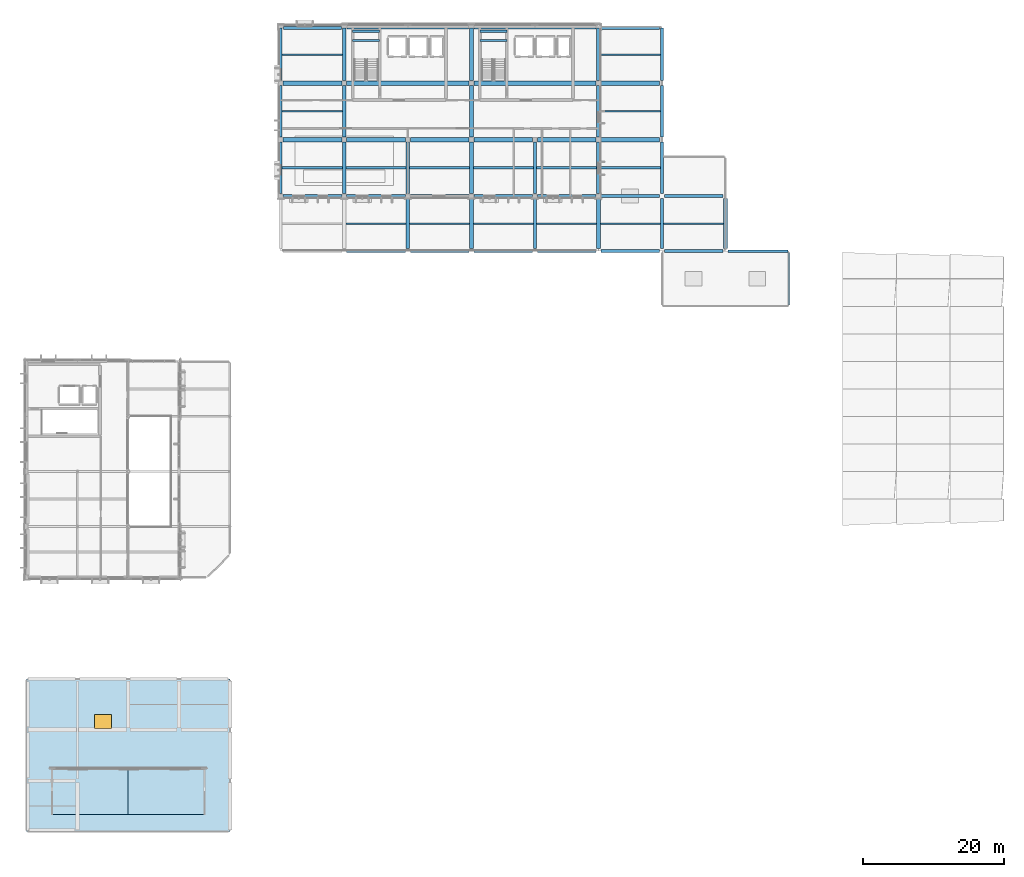
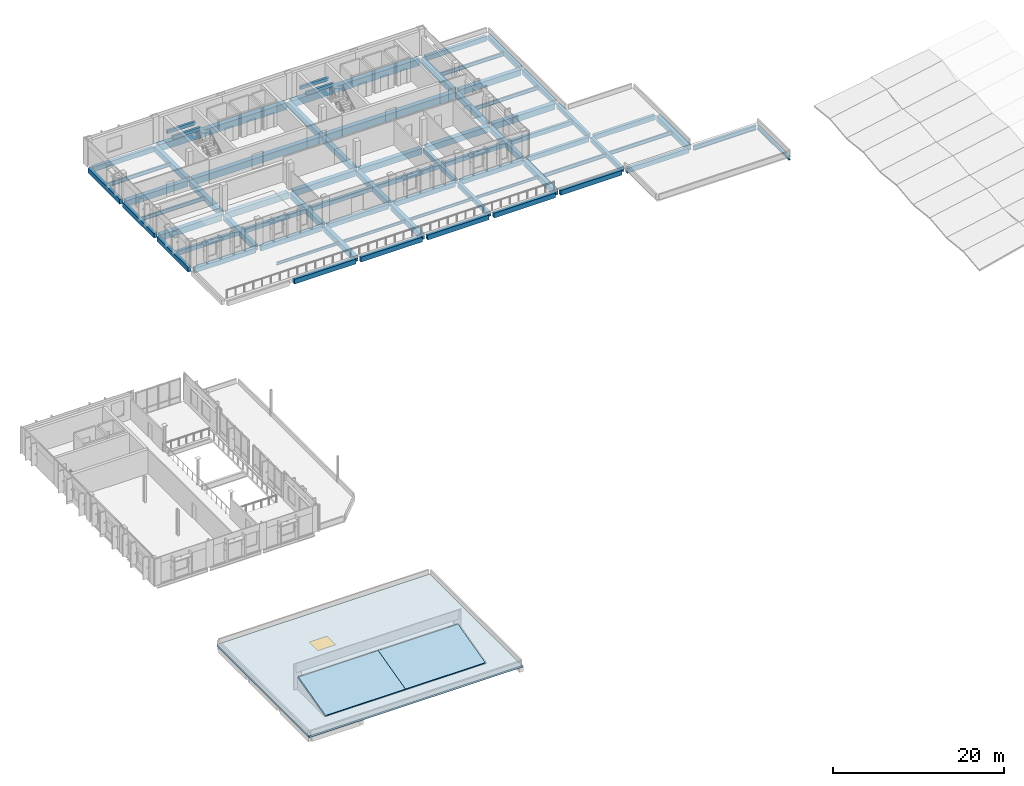
# One storey, part 6 of 23: 72 beams, 3 slabs, 1 window, 1 opening.
"""IFC4 building model written with IfcOpenShell, lengths in metres."""

from ifc_helpers import new_model, si_unit, direction, frame, origin, origin_2d, place, context, subcontext, project, spatial, polyline, rectangle, i_section, outline, extrude, material, layer, layer_set, material_profile, profile_set, type_object, element, fill, save


model = new_model("IFC4")

# Units and contexts
model_context = context("Model", 3, precision=1e-05, world=origin(), true_north=direction((0.0, 1.0)))
body_context = subcontext(model_context, "Body", "Model", "MODEL_VIEW")
ifc_project = project(units=[si_unit("LENGTHUNIT", "METRE"), si_unit("AREAUNIT", "SQUARE_METRE"), si_unit("VOLUMEUNIT", "CUBIC_METRE"), si_unit("PLANEANGLEUNIT", "RADIAN"), si_unit("MASSUNIT", "GRAM", prefix="KILO")], contexts=[model_context])

# Site, building, storey
site_placement = place(None, origin())
site = spatial("IfcSite", under=ifc_project, at=site_placement, CompositionType="ELEMENT")
building_placement = place(site_placement, origin())
building = spatial("IfcBuilding", under=site, at=building_placement, Name="Vervanel Yard Central Library", CompositionType="ELEMENT")
storey_placement = place(building_placement, frame((0.0, 0.0, 16.52001953125)))
storey = spatial("IfcBuildingStorey", under=building, at=storey_placement, Name="L04", CompositionType="ELEMENT", Elevation=16.52001953125)

# Beams
ifc_material_1 = material(Name="Concrete C45/55", Category="concrete")
ifc_material_profile_1 = material_profile(ifc_material_1, rectangle(XDim=0.64990234375, YDim=0.949951171875, at=origin_2d()), Name="RC 650x950", Category="concrete")
ifc_profile_set_1 = profile_set([ifc_material_profile_1], Name="Concrete C45/55")
beam_type_1 = type_object("IfcBeamType", Name="Concrete Heavy Stack Girder 650x950", PredefinedType="BEAM", material=ifc_profile_set_1)
for number, where, z_axis, x_axis, name in (
    (1, (45.35009765625, 106.0, -0.830078125), (1.0, 0.0, 0.0), (0.0, 1.0, 0.0), "L04 Girder CB-04 Y=106.0 X=45.0-63.0"),
    (2, (63.35009765625, 106.0, -0.830078125), (1.0, 0.0, 0.0), (0.0, 1.0, 0.0), "L04 Girder CB-04 Y=106.0 X=63.0-81.0"),
):
    element("IfcBeam", number, at=place(storey_placement, frame(where, z_axis=z_axis, x_axis=x_axis)), inside=storey, type_object=beam_type_1, Name=name, PredefinedType="BEAM", context=body_context, shape_type="SweptSolid", body=[
        extrude(rectangle(XDim=0.64990234375, YDim=0.949951171875, at=origin_2d()), origin(), (0.0, 0.0, 1.0), 17.2998046875),
    ])
for number, where, z_axis, x_axis, name in (
    (3, (45.375, 114.0, -0.830078125), (1.0, 0.0, 0.0), (0.0, 1.0, 0.0), "L04 Girder CB-04 Y=114.0 X=45.0-63.0"),
    (4, (63.375, 114.0, -0.830078125), (1.0, 0.0, 0.0), (0.0, 1.0, 0.0), "L04 Girder CB-04 Y=114.0 X=63.0-81.0"),
):
    element("IfcBeam", number, at=place(storey_placement, frame(where, z_axis=z_axis, x_axis=x_axis)), inside=storey, type_object=beam_type_1, Name=name, PredefinedType="BEAM", context=body_context, shape_type="SweptSolid", body=[
        extrude(rectangle(XDim=0.64990234375, YDim=0.949951171875, at=origin_2d()), origin(), (0.0, 0.0, 1.0), 17.25),
    ])
ifc_material_2 = material(Name="Concrete C40/50", Category="concrete")
ifc_material_profile_2 = material_profile(ifc_material_2, rectangle(XDim=0.300048828125, YDim=0.449951171875, at=origin_2d()), Name="RC 300x450", Category="concrete")
ifc_profile_set_2 = profile_set([ifc_material_profile_2], Name="Concrete C40/50")
beam_type_2 = type_object("IfcBeamType", Name="Concrete Opening Lintel 300x450", PredefinedType="LINTEL", material=ifc_profile_set_2)
for number, where, z_axis, x_axis, name in (
    (5, (46.199951171875, 112.050048828125, 1.445068359375), (1.0, 0.0, 0.0), (0.0, 1.0, 0.0), "L04 CORE-A Stair Landing Beam 9"),
    (6, (46.199951171875, 113.35009765625, 1.445068359375), (1.0, 0.0, 0.0), (0.0, 1.0, 0.0), "L04 CORE-A Stair Landing Beam 10"),
    (7, (64.199951171875, 112.050048828125, 1.445068359375), (1.0, 0.0, 0.0), (0.0, 1.0, 0.0), "L04 CORE-B Stair Landing Beam 19"),
    (8, (64.199951171875, 113.35009765625, 1.445068359375), (1.0, 0.0, 0.0), (0.0, 1.0, 0.0), "L04 CORE-B Stair Landing Beam 20"),
):
    element("IfcBeam", number, at=place(storey_placement, frame(where, z_axis=z_axis, x_axis=x_axis)), inside=storey, type_object=beam_type_2, Name=name, PredefinedType="LINTEL", context=body_context, shape_type="SweptSolid", body=[
        extrude(rectangle(XDim=0.300048828125, YDim=0.449951171875, at=origin_2d()), origin(), (0.0, 0.0, 1.0), 3.824951171875),
    ])
ifc_material_profile_3 = material_profile(ifc_material_2, rectangle(XDim=0.419921875, YDim=0.679931640625, at=origin_2d()), Name="RC 420x680", Category="concrete")
ifc_profile_set_3 = profile_set([ifc_material_profile_3], Name="Concrete C40/50")
beam_type_3 = type_object("IfcBeamType", Name="Concrete Perimeter Spandrel 420x680", PredefinedType="SPANDREL", material=ifc_profile_set_3)
for number, where, z_axis, x_axis, name in (
    (9, (45.35009765625, 82.199951171875, -0.68505859375), (1.0, 0.0, 0.0), (0.0, 1.0, 0.0), "L04 Girder SP-04 Y=82.2 X=45.0-54.0"),
    (10, (54.35009765625, 82.199951171875, -0.68505859375), (1.0, 0.0, 0.0), (0.0, 1.0, 0.0), "L04 Girder SP-04 Y=82.2 X=54.0-63.0"),
    (11, (63.35009765625, 82.199951171875, -0.68505859375), (1.0, 0.0, 0.0), (0.0, 1.0, 0.0), "L04 Girder SP-04 Y=82.2 X=63.0-72.0"),
    (12, (72.35009765625, 82.199951171875, -0.68505859375), (1.0, 0.0, 0.0), (0.0, 1.0, 0.0), "L04 Girder SP-04 Y=82.2 X=72.0-81.0"),
    (13, (81.35009765625, 82.199951171875, -0.594970703125), (1.0, 0.0, 0.0), (0.0, 1.0, 0.0), "L04 Girder SP-04 Y=82.2 X=81.0-90.0"),
    (14, (90.35009765625, 82.199951171875, -0.60498046875), (1.0, 0.0, 0.0), (0.0, 1.0, 0.0), "L04 Girder SP-04 Y=82.2 X=90.0-99.0"),
    (15, (36.35009765625, 90.0, -0.695068359375), (1.0, 0.0, 0.0), (0.0, 1.0, 0.0), "L04 Girder SP-04 Y=90.0 X=36.0-45.0"),
    (16, (45.35009765625, 90.0, -0.695068359375), (1.0, 0.0, 0.0), (0.0, 1.0, 0.0), "L04 Girder SP-04 Y=90.0 X=45.0-54.0"),
    (17, (54.35009765625, 90.0, -0.695068359375), (1.0, 0.0, 0.0), (0.0, 1.0, 0.0), "L04 Girder SP-04 Y=90.0 X=54.0-63.0"),
    (18, (63.35009765625, 90.0, -0.695068359375), (1.0, 0.0, 0.0), (0.0, 1.0, 0.0), "L04 Girder SP-04 Y=90.0 X=63.0-72.0"),
    (19, (72.35009765625, 90.0, -0.695068359375), (1.0, 0.0, 0.0), (0.0, 1.0, 0.0), "L04 Girder SP-04 Y=90.0 X=72.0-81.0"),
    (20, (81.35009765625, 90.0, -0.594970703125), (1.0, 0.0, 0.0), (0.0, 1.0, 0.0), "L04 Girder SP-04 Y=90.0 X=81.0-90.0"),
    (21, (90.35009765625, 90.0, -0.594970703125), (1.0, 0.0, 0.0), (0.0, 1.0, 0.0), "L04 Girder SP-04 Y=90.0 X=90.0-99.0"),
):
    element("IfcBeam", number, at=place(storey_placement, frame(where, z_axis=z_axis, x_axis=x_axis)), inside=storey, type_object=beam_type_3, Name=name, PredefinedType="SPANDREL", context=body_context, shape_type="SweptSolid", body=[
        extrude(rectangle(XDim=0.419921875, YDim=0.679931640625, at=origin_2d()), origin(), (0.0, 0.0, 1.0), 8.2998046875),
    ])
for number, where, z_axis, x_axis, name in (
    (22, (36.375, 113.800048828125, -0.695068359375), (1.0, 0.0, 0.0), (0.0, 1.0, 0.0), "L04 Girder SP-04 Y=114.0 X=36.0-45.0"),
    (23, (81.375, 113.800048828125, -0.594970703125), (1.0, 0.0, 0.0), (0.0, 1.0, 0.0), "L04 Girder SP-04 Y=114.0 X=81.0-90.0"),
):
    element("IfcBeam", number, at=place(storey_placement, frame(where, z_axis=z_axis, x_axis=x_axis)), inside=storey, type_object=beam_type_3, Name=name, PredefinedType="SPANDREL", context=body_context, shape_type="SweptSolid", body=[
        extrude(rectangle(XDim=0.419921875, YDim=0.679931640625, at=origin_2d()), origin(), (0.0, 0.0, 1.0), 8.25),
    ])
for number, where, z_axis, x_axis, name in (
    (24, (36.0, 90.35009765625, -0.695068359375), (0.0, 1.0, 0.0), (-1.0, 0.0, 0.0), "L04 Girder SP-04 X=36.0 Y=90.0-98.0"),
    (25, (36.0, 98.35009765625, -0.695068359375), (0.0, 1.0, 0.0), (-1.0, 0.0, 0.0), "L04 Girder SP-04 X=36.0 Y=98.0-106.0"),
):
    element("IfcBeam", number, at=place(storey_placement, frame(where, z_axis=z_axis, x_axis=x_axis)), inside=storey, type_object=beam_type_3, Name=name, PredefinedType="SPANDREL", context=body_context, shape_type="SweptSolid", body=[
        extrude(rectangle(XDim=0.419921875, YDim=0.679931640625, at=origin_2d()), origin(), (0.0, 0.0, 1.0), 7.2998046875),
    ])
beam_1_placement = place(storey_placement, frame((36.0, 106.35009765625, -0.695068359375), z_axis=(0.0, 1.0, 0.0), x_axis=(-1.0, 0.0, 0.0)))
element("IfcBeam", 26, at=beam_1_placement, inside=storey, type_object=beam_type_3, Name="L04 Girder SP-04 X=36.0 Y=106.0-114.0", PredefinedType="SPANDREL", context=body_context, shape_type="SweptSolid", body=[
    extrude(rectangle(XDim=0.419921875, YDim=0.679931640625, at=origin_2d()), origin(), (0.0, 0.0, 1.0), 7.449951171875),
])
beam_2_placement = place(storey_placement, frame((72.0, 82.550048828125, -0.68505859375), z_axis=(0.0, 1.0, 0.0), x_axis=(-1.0, 0.0, 0.0)))
element("IfcBeam", 27, at=beam_2_placement, inside=storey, type_object=beam_type_3, Name="L04 Girder SP-04 X=72.0 Y=82.2-90.0", PredefinedType="SPANDREL", context=body_context, shape_type="SweptSolid", body=[
    extrude(rectangle(XDim=0.419921875, YDim=0.679931640625, at=origin_2d()), origin(), (0.0, 0.0, 1.0), 7.099853515625),
])
beam_3_placement = place(storey_placement, frame((72.0, 90.35009765625, -0.695068359375), z_axis=(0.0, 1.0, 0.0), x_axis=(-1.0, 0.0, 0.0)))
element("IfcBeam", 28, at=beam_3_placement, inside=storey, type_object=beam_type_3, Name="L04 Girder SP-04 X=72.0 Y=90.0-98.0", PredefinedType="SPANDREL", context=body_context, shape_type="SweptSolid", body=[
    extrude(rectangle(XDim=0.419921875, YDim=0.679931640625, at=origin_2d()), origin(), (0.0, 0.0, 1.0), 7.2998046875),
])
beam_4_placement = place(storey_placement, frame((90.0, 82.550048828125, -0.594970703125), z_axis=(0.0, 1.0, 0.0), x_axis=(-1.0, 0.0, 0.0)))
element("IfcBeam", 29, at=beam_4_placement, inside=storey, type_object=beam_type_3, Name="L04 Girder SP-04 X=90.0 Y=82.2-90.0", PredefinedType="SPANDREL", context=body_context, shape_type="SweptSolid", body=[
    extrude(rectangle(XDim=0.419921875, YDim=0.679931640625, at=origin_2d()), origin(), (0.0, 0.0, 1.0), 7.099853515625),
])
for number, where, z_axis, x_axis, name in (
    (30, (90.0, 90.35009765625, -0.594970703125), (0.0, 1.0, 0.0), (-1.0, 0.0, 0.0), "L04 Girder SP-04 X=90.0 Y=90.0-98.0"),
    (31, (90.0, 98.35009765625, -0.594970703125), (0.0, 1.0, 0.0), (-1.0, 0.0, 0.0), "L04 Girder SP-04 X=90.0 Y=98.0-106.0"),
):
    element("IfcBeam", number, at=place(storey_placement, frame(where, z_axis=z_axis, x_axis=x_axis)), inside=storey, type_object=beam_type_3, Name=name, PredefinedType="SPANDREL", context=body_context, shape_type="SweptSolid", body=[
        extrude(rectangle(XDim=0.419921875, YDim=0.679931640625, at=origin_2d()), origin(), (0.0, 0.0, 1.0), 7.2998046875),
    ])
beam_5_placement = place(storey_placement, frame((90.0, 106.35009765625, -0.594970703125), z_axis=(0.0, 1.0, 0.0), x_axis=(-1.0, 0.0, 0.0)))
element("IfcBeam", 32, at=beam_5_placement, inside=storey, type_object=beam_type_3, Name="L04 Girder SP-04 X=90.0 Y=106.0-114.0", PredefinedType="SPANDREL", context=body_context, shape_type="SweptSolid", body=[
    extrude(rectangle(XDim=0.419921875, YDim=0.679931640625, at=origin_2d()), origin(), (0.0, 0.0, 1.0), 7.449951171875),
])
ifc_material_profile_4 = material_profile(ifc_material_2, rectangle(XDim=0.550048828125, YDim=0.800048828125, at=origin_2d()), Name="RC 550x800", Category="concrete")
ifc_profile_set_4 = profile_set([ifc_material_profile_4], Name="Concrete C40/50")
beam_type_4 = type_object("IfcBeamType", Name="Concrete Primary Girder 550x800", PredefinedType="BEAM", material=ifc_profile_set_4)
for number, where, z_axis, x_axis, name in (
    (33, (45.0, 90.35009765625, -0.755126953125), (0.0, 1.0, 0.0), (-1.0, 0.0, 0.0), "L04 Girder CB-02 X=45.0 Y=90.0-98.0"),
    (34, (45.0, 98.35009765625, -0.755126953125), (0.0, 1.0, 0.0), (-1.0, 0.0, 0.0), "L04 Girder CB-02 X=45.0 Y=98.0-106.0"),
):
    element("IfcBeam", number, at=place(storey_placement, frame(where, z_axis=z_axis, x_axis=x_axis)), inside=storey, type_object=beam_type_4, Name=name, PredefinedType="BEAM", context=body_context, shape_type="SweptSolid", body=[
        extrude(rectangle(XDim=0.550048828125, YDim=0.800048828125, at=origin_2d()), origin(), (0.0, 0.0, 1.0), 7.2998046875),
    ])
beam_6_placement = place(storey_placement, frame((45.0, 106.35009765625, -0.755126953125), z_axis=(0.0, 1.0, 0.0), x_axis=(-1.0, 0.0, 0.0)))
element("IfcBeam", 35, at=beam_6_placement, inside=storey, type_object=beam_type_4, Name="L04 Girder CB-02 X=45.0 Y=106.0-114.0", PredefinedType="BEAM", context=body_context, shape_type="SweptSolid", body=[
    extrude(rectangle(XDim=0.550048828125, YDim=0.800048828125, at=origin_2d()), origin(), (0.0, 0.0, 1.0), 7.449951171875),
])
beam_7_placement = place(storey_placement, frame((54.0, 82.550048828125, -0.7451171875), z_axis=(0.0, 1.0, 0.0), x_axis=(-1.0, 0.0, 0.0)))
element("IfcBeam", 36, at=beam_7_placement, inside=storey, type_object=beam_type_4, Name="L04 Girder CB-02 X=54.0 Y=82.2-90.0", PredefinedType="BEAM", context=body_context, shape_type="SweptSolid", body=[
    extrude(rectangle(XDim=0.550048828125, YDim=0.800048828125, at=origin_2d()), origin(), (0.0, 0.0, 1.0), 7.099853515625),
])
beam_8_placement = place(storey_placement, frame((54.0, 90.35009765625, -0.755126953125), z_axis=(0.0, 1.0, 0.0), x_axis=(-1.0, 0.0, 0.0)))
element("IfcBeam", 37, at=beam_8_placement, inside=storey, type_object=beam_type_4, Name="L04 Girder CB-02 X=54.0 Y=90.0-98.0", PredefinedType="BEAM", context=body_context, shape_type="SweptSolid", body=[
    extrude(rectangle(XDim=0.550048828125, YDim=0.800048828125, at=origin_2d()), origin(), (0.0, 0.0, 1.0), 7.2998046875),
])
beam_9_placement = place(storey_placement, frame((63.0, 82.550048828125, -0.7451171875), z_axis=(0.0, 1.0, 0.0), x_axis=(-1.0, 0.0, 0.0)))
element("IfcBeam", 38, at=beam_9_placement, inside=storey, type_object=beam_type_4, Name="L04 Girder CB-02 X=63.0 Y=82.2-90.0", PredefinedType="BEAM", context=body_context, shape_type="SweptSolid", body=[
    extrude(rectangle(XDim=0.550048828125, YDim=0.800048828125, at=origin_2d()), origin(), (0.0, 0.0, 1.0), 7.099853515625),
])
for number, where, z_axis, x_axis, name in (
    (39, (63.0, 90.35009765625, -0.755126953125), (0.0, 1.0, 0.0), (-1.0, 0.0, 0.0), "L04 Girder CB-02 X=63.0 Y=90.0-98.0"),
    (40, (63.0, 98.35009765625, -0.755126953125), (0.0, 1.0, 0.0), (-1.0, 0.0, 0.0), "L04 Girder CB-02 X=63.0 Y=98.0-106.0"),
):
    element("IfcBeam", number, at=place(storey_placement, frame(where, z_axis=z_axis, x_axis=x_axis)), inside=storey, type_object=beam_type_4, Name=name, PredefinedType="BEAM", context=body_context, shape_type="SweptSolid", body=[
        extrude(rectangle(XDim=0.550048828125, YDim=0.800048828125, at=origin_2d()), origin(), (0.0, 0.0, 1.0), 7.2998046875),
    ])
beam_10_placement = place(storey_placement, frame((63.0, 106.35009765625, -0.755126953125), z_axis=(0.0, 1.0, 0.0), x_axis=(-1.0, 0.0, 0.0)))
element("IfcBeam", 41, at=beam_10_placement, inside=storey, type_object=beam_type_4, Name="L04 Girder CB-02 X=63.0 Y=106.0-114.0", PredefinedType="BEAM", context=body_context, shape_type="SweptSolid", body=[
    extrude(rectangle(XDim=0.550048828125, YDim=0.800048828125, at=origin_2d()), origin(), (0.0, 0.0, 1.0), 7.449951171875),
])
beam_11_placement = place(storey_placement, frame((81.0, 82.550048828125, -0.7451171875), z_axis=(0.0, 1.0, 0.0), x_axis=(-1.0, 0.0, 0.0)))
element("IfcBeam", 42, at=beam_11_placement, inside=storey, type_object=beam_type_4, Name="L04 Girder CB-02 X=81.0 Y=82.2-90.0", PredefinedType="BEAM", context=body_context, shape_type="SweptSolid", body=[
    extrude(rectangle(XDim=0.550048828125, YDim=0.800048828125, at=origin_2d()), origin(), (0.0, 0.0, 1.0), 7.099853515625),
])
for number, where, z_axis, x_axis, name in (
    (43, (81.0, 90.35009765625, -0.755126953125), (0.0, 1.0, 0.0), (-1.0, 0.0, 0.0), "L04 Girder CB-02 X=81.0 Y=90.0-98.0"),
    (44, (81.0, 98.35009765625, -0.755126953125), (0.0, 1.0, 0.0), (-1.0, 0.0, 0.0), "L04 Girder CB-02 X=81.0 Y=98.0-106.0"),
):
    element("IfcBeam", number, at=place(storey_placement, frame(where, z_axis=z_axis, x_axis=x_axis)), inside=storey, type_object=beam_type_4, Name=name, PredefinedType="BEAM", context=body_context, shape_type="SweptSolid", body=[
        extrude(rectangle(XDim=0.550048828125, YDim=0.800048828125, at=origin_2d()), origin(), (0.0, 0.0, 1.0), 7.2998046875),
    ])
beam_12_placement = place(storey_placement, frame((81.0, 106.35009765625, -0.755126953125), z_axis=(0.0, 1.0, 0.0), x_axis=(-1.0, 0.0, 0.0)))
element("IfcBeam", 45, at=beam_12_placement, inside=storey, type_object=beam_type_4, Name="L04 Girder CB-02 X=81.0 Y=106.0-114.0", PredefinedType="BEAM", context=body_context, shape_type="SweptSolid", body=[
    extrude(rectangle(XDim=0.550048828125, YDim=0.800048828125, at=origin_2d()), origin(), (0.0, 0.0, 1.0), 7.449951171875),
])
beam_13_placement = place(storey_placement, frame((99.0, 82.550048828125, -0.655029296875), z_axis=(0.0, 1.0, 0.0), x_axis=(-1.0, 0.0, 0.0)))
element("IfcBeam", 46, at=beam_13_placement, inside=storey, type_object=beam_type_4, Name="L04 Girder CB-02 X=99.0 Y=82.2-90.0", PredefinedType="BEAM", context=body_context, shape_type="SweptSolid", body=[
    extrude(rectangle(XDim=0.550048828125, YDim=0.800048828125, at=origin_2d()), origin(), (0.0, 0.0, 1.0), 7.099853515625),
])
ifc_material_profile_5 = material_profile(ifc_material_1, rectangle(XDim=0.60009765625, YDim=0.85009765625, at=origin_2d()), Name="RC 600x850", Category="concrete")
ifc_profile_set_5 = profile_set([ifc_material_profile_5], Name="Concrete C45/55")
beam_type_5 = type_object("IfcBeamType", Name="Concrete Stack Girder 600x850", PredefinedType="BEAM", material=ifc_profile_set_5)
for number, where, z_axis, x_axis, name in (
    (47, (36.35009765625, 98.0, -0.780029296875), (1.0, 0.0, 0.0), (0.0, 1.0, 0.0), "L04 Girder CB-03 Y=98.0 X=36.0-45.0"),
    (48, (45.35009765625, 98.0, -0.780029296875), (1.0, 0.0, 0.0), (0.0, 1.0, 0.0), "L04 Girder CB-03 Y=98.0 X=45.0-54.0"),
    (49, (54.35009765625, 98.0, -0.780029296875), (1.0, 0.0, 0.0), (0.0, 1.0, 0.0), "L04 Girder CB-03 Y=98.0 X=54.0-63.0"),
    (50, (63.35009765625, 98.0, -0.780029296875), (1.0, 0.0, 0.0), (0.0, 1.0, 0.0), "L04 Girder CB-03 Y=98.0 X=63.0-72.0"),
    (51, (72.35009765625, 98.0, -0.780029296875), (1.0, 0.0, 0.0), (0.0, 1.0, 0.0), "L04 Girder CB-03 Y=98.0 X=72.0-81.0"),
    (52, (81.35009765625, 98.0, -0.679931640625), (1.0, 0.0, 0.0), (0.0, 1.0, 0.0), "L04 Girder CB-03 Y=98.0 X=81.0-90.0"),
    (53, (36.35009765625, 106.0, -0.780029296875), (1.0, 0.0, 0.0), (0.0, 1.0, 0.0), "L04 Girder CB-03 Y=106.0 X=36.0-45.0"),
    (54, (81.35009765625, 106.0, -0.679931640625), (1.0, 0.0, 0.0), (0.0, 1.0, 0.0), "L04 Girder CB-03 Y=106.0 X=81.0-90.0"),
):
    element("IfcBeam", number, at=place(storey_placement, frame(where, z_axis=z_axis, x_axis=x_axis)), inside=storey, type_object=beam_type_5, Name=name, PredefinedType="BEAM", context=body_context, shape_type="SweptSolid", body=[
        extrude(rectangle(XDim=0.60009765625, YDim=0.85009765625, at=origin_2d()), origin(), (0.0, 0.0, 1.0), 8.2998046875),
    ])
ifc_material_profile_6 = material_profile(ifc_material_1, rectangle(XDim=0.35009765625, YDim=0.64990234375, at=origin_2d()), Name="RC 350x650", Category="concrete")
ifc_profile_set_6 = profile_set([ifc_material_profile_6], Name="Concrete C45/55")
beam_type_6 = type_object("IfcBeamType", Name="Concrete Stack Joist 350x650", PredefinedType="JOIST", material=ifc_profile_set_6)
beam_14_placement = place(storey_placement, frame((36.2099609375, 94.0, -0.679931640625), z_axis=(1.0, 0.0, 0.0), x_axis=(0.0, 1.0, 0.0)))
element("IfcBeam", 55, at=beam_14_placement, inside=storey, type_object=beam_type_6, Name="L04 Floor Joist CJ-03 Y=94.00 X=36.0-45.0", PredefinedType="JOIST", context=body_context, shape_type="SweptSolid", body=[
    extrude(rectangle(XDim=0.35009765625, YDim=0.64990234375, at=origin_2d()), origin(), (0.0, 0.0, 1.0), 8.51513671875),
])
for number, where, z_axis, x_axis, name in (
    (56, (45.27490234375, 94.0, -0.679931640625), (1.0, 0.0, 0.0), (0.0, 1.0, 0.0), "L04 Floor Joist CJ-03 Y=94.00 X=45.0-54.0"),
    (57, (54.27490234375, 94.0, -0.679931640625), (1.0, 0.0, 0.0), (0.0, 1.0, 0.0), "L04 Floor Joist CJ-03 Y=94.00 X=54.0-63.0"),
):
    element("IfcBeam", number, at=place(storey_placement, frame(where, z_axis=z_axis, x_axis=x_axis)), inside=storey, type_object=beam_type_6, Name=name, PredefinedType="JOIST", context=body_context, shape_type="SweptSolid", body=[
        extrude(rectangle(XDim=0.35009765625, YDim=0.64990234375, at=origin_2d()), origin(), (0.0, 0.0, 1.0), 8.4501953125),
    ])
for number, where, z_axis, x_axis, name in (
    (58, (63.27490234375, 94.0, -0.679931640625), (1.0, 0.0, 0.0), (0.0, 1.0, 0.0), "L04 Floor Joist CJ-03 Y=94.00 X=63.0-72.0"),
    (59, (72.2099609375, 94.0, -0.679931640625), (1.0, 0.0, 0.0), (0.0, 1.0, 0.0), "L04 Floor Joist CJ-03 Y=94.00 X=72.0-81.0"),
    (60, (81.27490234375, 94.0, -0.679931640625), (1.0, 0.0, 0.0), (0.0, 1.0, 0.0), "L04 Floor Joist CJ-03 Y=94.00 X=81.0-90.0"),
):
    element("IfcBeam", number, at=place(storey_placement, frame(where, z_axis=z_axis, x_axis=x_axis)), inside=storey, type_object=beam_type_6, Name=name, PredefinedType="JOIST", context=body_context, shape_type="SweptSolid", body=[
        extrude(rectangle(XDim=0.35009765625, YDim=0.64990234375, at=origin_2d()), origin(), (0.0, 0.0, 1.0), 8.51513671875),
    ])
ifc_material_3 = material(Name="Steel ASTM A992 Grade 50", Category="steel")
ifc_material_profile_7 = material_profile(ifc_material_3, i_section(OverallWidth=0.32763671875, OverallDepth=0.622314453125, WebThickness=0.015380859375, FlangeThickness=0.0244140625, at=origin_2d()), Name="W24X131", Category="steel")
ifc_profile_set_7 = profile_set([ifc_material_profile_7], Name="Steel ASTM A992 Grade 50")
beam_type_7 = type_object("IfcBeamType", Name="Steel Primary Girder W24X131", PredefinedType="BEAM", material=ifc_profile_set_7)
beam_15_placement = place(storey_placement, frame((99.35009765625, 82.199951171875, -0.576171875), z_axis=(1.0, 0.0, 0.0), x_axis=(0.0, 1.0, 0.0)))
element("IfcBeam", 61, at=beam_15_placement, inside=storey, type_object=beam_type_7, Name="L04 Girder SB-02 Y=82.2 X=99.0-108.0", PredefinedType="BEAM", context=body_context, shape_type="SweptSolid", body=[
    extrude(i_section(OverallWidth=0.32763671875, OverallDepth=0.622314453125, WebThickness=0.015380859375, FlangeThickness=0.0244140625, at=origin_2d()), origin(), (0.0, 0.0, 1.0), 8.4951171875),
])
ifc_material_profile_8 = material_profile(ifc_material_3, i_section(OverallWidth=0.1787109375, OverallDepth=0.408935546875, WebThickness=0.0087890625, FlangeThickness=0.014404296875, at=origin_2d()), Name="W16X45", Category="steel")
ifc_profile_set_8 = profile_set([ifc_material_profile_8], Name="Steel ASTM A992 Grade 50")
beam_type_8 = type_object("IfcBeamType", Name="Steel Secondary Joist W16X45", PredefinedType="JOIST", material=ifc_profile_set_8)
for number, where, z_axis, x_axis, name in (
    (62, (45.27490234375, 86.10009765625, -0.549560546875), (1.0, 0.0, 0.0), (0.0, 1.0, 0.0), "L04 Floor Joist SJ-01 Y=86.10 X=45.0-54.0"),
    (63, (54.27490234375, 86.10009765625, -0.549560546875), (1.0, 0.0, 0.0), (0.0, 1.0, 0.0), "L04 Floor Joist SJ-01 Y=86.10 X=54.0-63.0"),
):
    element("IfcBeam", number, at=place(storey_placement, frame(where, z_axis=z_axis, x_axis=x_axis)), inside=storey, type_object=beam_type_8, Name=name, PredefinedType="JOIST", context=body_context, shape_type="SweptSolid", body=[
        extrude(i_section(OverallWidth=0.1787109375, OverallDepth=0.408935546875, WebThickness=0.0087890625, FlangeThickness=0.014404296875, at=origin_2d()), origin(), (0.0, 0.0, 1.0), 8.4501953125),
    ])
for number, where, z_axis, x_axis, name in (
    (64, (63.27490234375, 86.10009765625, -0.549560546875), (1.0, 0.0, 0.0), (0.0, 1.0, 0.0), "L04 Floor Joist SJ-01 Y=86.10 X=63.0-72.0"),
    (65, (72.2099609375, 86.10009765625, -0.549560546875), (1.0, 0.0, 0.0), (0.0, 1.0, 0.0), "L04 Floor Joist SJ-01 Y=86.10 X=72.0-81.0"),
):
    element("IfcBeam", number, at=place(storey_placement, frame(where, z_axis=z_axis, x_axis=x_axis)), inside=storey, type_object=beam_type_8, Name=name, PredefinedType="JOIST", context=body_context, shape_type="SweptSolid", body=[
        extrude(i_section(OverallWidth=0.1787109375, OverallDepth=0.408935546875, WebThickness=0.0087890625, FlangeThickness=0.014404296875, at=origin_2d()), origin(), (0.0, 0.0, 1.0), 8.51513671875),
    ])
ifc_material_profile_9 = material_profile(ifc_material_3, i_section(OverallWidth=0.281982421875, OverallDepth=0.46728515625, WebThickness=0.01220703125, FlangeThickness=0.01953125, at=origin_2d()), Name="W18X86", Category="steel")
ifc_profile_set_9 = profile_set([ifc_material_profile_9], Name="Steel ASTM A992 Grade 50")
beam_type_9 = type_object("IfcBeamType", Name="Steel Spandrel Beam W18X86", PredefinedType="SPANDREL", material=ifc_profile_set_9)
beam_16_placement = place(storey_placement, frame((108.0, 74.563720703125, -0.498779296875), z_axis=(0.0, 1.0, 0.0), x_axis=(-1.0, 0.0, 0.0)))
element("IfcBeam", 66, at=beam_16_placement, inside=storey, type_object=beam_type_9, Name="L04 Girder SP-02 X=108.0 Y=74.4-82.2", PredefinedType="SPANDREL", context=body_context, shape_type="SweptSolid", body=[
    extrude(i_section(OverallWidth=0.281982421875, OverallDepth=0.46728515625, WebThickness=0.01220703125, FlangeThickness=0.01953125, at=origin_2d()), origin(), (0.0, 0.0, 1.0), 7.472412109375),
])
ifc_material_profile_10 = material_profile(ifc_material_3, i_section(OverallWidth=0.2099609375, OverallDepth=0.535888671875, WebThickness=0.010986328125, FlangeThickness=0.017333984375, at=origin_2d()), Name="W21X68", Category="steel")
ifc_profile_set_10 = profile_set([ifc_material_profile_10], Name="Steel ASTM A992 Grade 50")
beam_type_10 = type_object("IfcBeamType", Name="Steel Stack Floor Joist W21X68", PredefinedType="JOIST", material=ifc_profile_set_10)
for number, where, z_axis, x_axis, name in (
    (67, (36.2099609375, 102.0, -0.623046875), (1.0, 0.0, 0.0), (0.0, 1.0, 0.0), "L04 Floor Joist SJ-04 Y=102.00 X=36.0-45.0"),
    (68, (36.2099609375, 110.0, -0.623046875), (1.0, 0.0, 0.0), (0.0, 1.0, 0.0), "L04 Floor Joist SJ-04 Y=110.00 X=36.0-45.0"),
    (69, (81.27490234375, 86.10009765625, -0.613037109375), (1.0, 0.0, 0.0), (0.0, 1.0, 0.0), "L04 Floor Joist SJ-04 Y=86.10 X=81.0-90.0"),
    (70, (81.27490234375, 102.0, -0.623046875), (1.0, 0.0, 0.0), (0.0, 1.0, 0.0), "L04 Floor Joist SJ-04 Y=102.00 X=81.0-90.0"),
    (71, (81.27490234375, 110.0, -0.623046875), (1.0, 0.0, 0.0), (0.0, 1.0, 0.0), "L04 Floor Joist SJ-04 Y=110.00 X=81.0-90.0"),
    (72, (90.2099609375, 86.10009765625, -0.52294921875), (1.0, 0.0, 0.0), (0.0, 1.0, 0.0), "L04 Floor Joist SJ-04 Y=86.10 X=90.0-99.0"),
):
    element("IfcBeam", number, at=place(storey_placement, frame(where, z_axis=z_axis, x_axis=x_axis)), inside=storey, type_object=beam_type_10, Name=name, PredefinedType="JOIST", context=body_context, shape_type="SweptSolid", body=[
        extrude(i_section(OverallWidth=0.2099609375, OverallDepth=0.535888671875, WebThickness=0.010986328125, FlangeThickness=0.017333984375, at=origin_2d()), origin(), (0.0, 0.0, 1.0), 8.51513671875),
    ])

# Slabs
ifc_layer_1 = layer(ifc_material_1, 0.18505859375, Category="concrete")
ifc_layer_set_1 = layer_set([ifc_layer_1], Name="Concrete C45/55")
slab_type_1 = type_object("IfcSlabType", Name="Atrium Monitor Sloped Roof Deck 185", PredefinedType="ROOF", material=ifc_layer_set_1)
slab_1_placement = place(storey_placement, frame((3.60009765625, 2.39990234375, 0.219970703125), z_axis=(0.0, -0.248209095121, 0.968706480364), x_axis=(1.0, 0.0, 0.0)))
element("IfcSlab", 73, at=slab_1_placement, inside=storey, type_object=slab_type_1, Name="L04 V6 Atrium Monitor Sloped Roof Deck 185 V6-SAWTOOTH-1", PredefinedType="ROOF", context=body_context, shape_type="SweptSolid", body=[
    extrude(outline(polyline([(0.0, 0.0), (10.7998046875, 0.0), (10.7998046875, 6.606899627605003), (0.0, 6.606899627605003), (0.0, 0.0)])), origin(), (0.0, 0.0, -1.0), 0.18505859375),
])
slab_2_placement = place(storey_placement, frame((14.39990234375, 2.39990234375, 0.219970703125), z_axis=(0.0, -0.248209095121, 0.968706480364), x_axis=(1.0, 0.0, 0.0)))
element("IfcSlab", 74, at=slab_2_placement, inside=storey, type_object=slab_type_1, Name="L04 V6 Atrium Monitor Sloped Roof Deck 185 V6-SAWTOOTH-2", PredefinedType="ROOF", context=body_context, shape_type="SweptSolid", body=[
    extrude(outline(polyline([(0.0, 0.0), (10.800048828125, 0.0), (10.800048828125, 6.606899627605003), (0.0, 6.606899627605003), (0.0, 0.0)])), origin(), (0.0, 0.0, -1.0), 0.18505859375),
])

# Slab, opening, window
ifc_layer_2 = layer(ifc_material_2, 0.25, Category="concrete")
ifc_layer_set_2 = layer_set([ifc_layer_2], Name="Concrete C40/50")
slab_type_2 = type_object("IfcSlabType", Name="Flat Concrete Roof Slab 250", PredefinedType="ROOF", material=ifc_layer_set_2)
slab_3_placement = place(storey_placement, frame((0.0, 0.0, -0.25)))
slab_3 = element("IfcSlab", 75, at=slab_3_placement, inside=storey, type_object=slab_type_2, Name="L04 V6 Flat Concrete Roof Slab 250", PredefinedType="ROOF", context=body_context, shape_type="SweptSolid", body=[
    extrude(outline(polyline([(0.0, 0.0), (28.800048828125, 0.0), (28.800048828125, 21.60009765625), (0.0, 21.60009765625), (0.0, 0.0)])), origin(), (0.0, 0.0, 1.0), 0.25),
])
opening_placement = place(slab_3_placement, frame((10.800048828125, 15.60009765625, 0.0)))
opening = element("IfcOpeningElement", 76, at=opening_placement, cuts=slab_3, Name="Opening SK-04", PredefinedType="OPENING", context=body_context, shape_type="SweptSolid", body=[
    extrude(rectangle(XDim=2.39990234375, YDim=2.0, at=origin_2d()), frame((0.0, 0.0, -0.010009765625)), (0.0, 0.0, 1.0), 0.27001953125),
])
ifc_material_4 = material(Name="Double low-E laminated solar-control glass", Category="glass")
window_type = type_object("IfcWindowType", Name="Annex Daylight Skylight 2400x2000", PartitioningType="SINGLE_PANEL", PredefinedType="SKYLIGHT", material=ifc_material_4)
window_placement = place(opening_placement, frame((0.0, 0.0, 0.18994140625)))
window = element("IfcWindow", 77, at=window_placement, inside=storey, type_object=window_type, Name="L04 Annex Daylight Skylight 2400x2000 11", OverallHeight=2.0, OverallWidth=2.39990234375, PartitioningType="SINGLE_PANEL", PredefinedType="SKYLIGHT", context=body_context, shape_type="SweptSolid", body=[
    extrude(rectangle(XDim=2.39990234375, YDim=2.0, at=origin_2d()), origin(), (0.0, 0.0, 1.0), 0.06005859375),
])
fill(opening, window)

save(model, "model.ifc")
